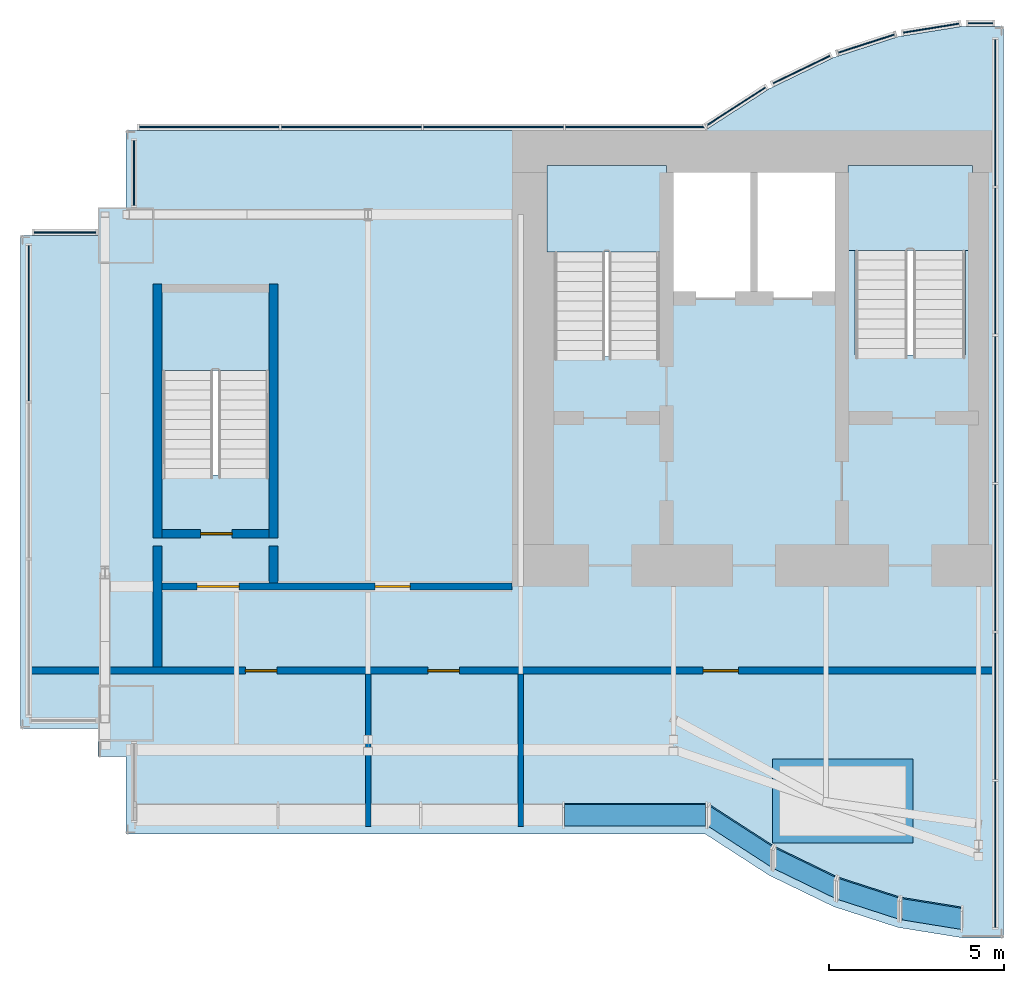
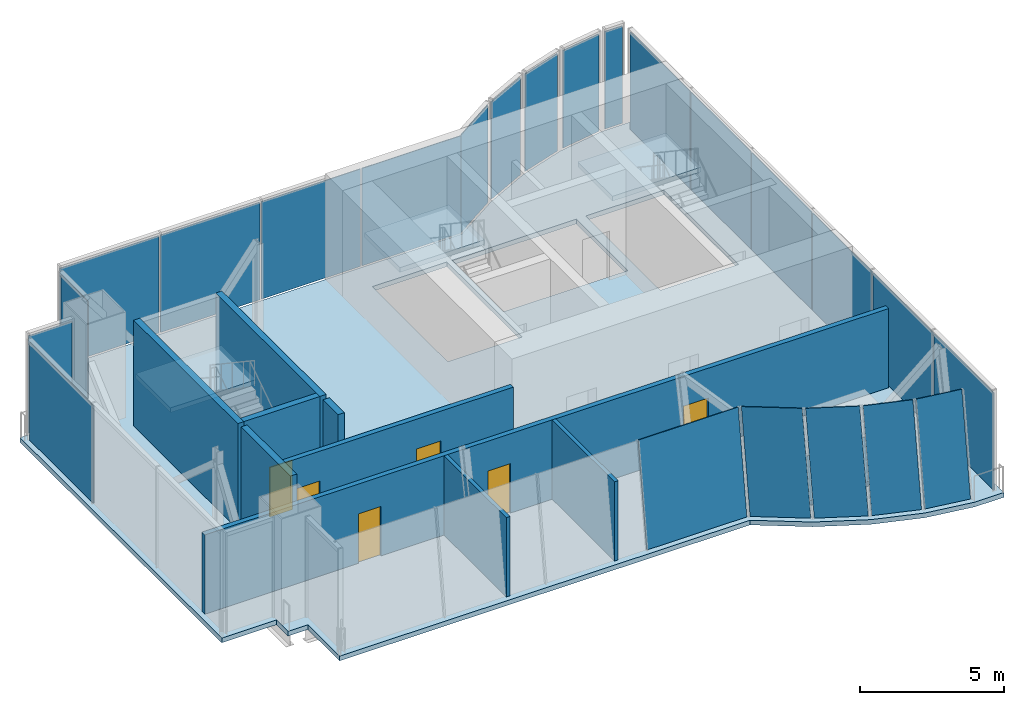
# One storey, part 3 of 6: 23 plates, 10 walls, 6 doors, 4 slabs, 6 openings, 18 elements without a shape of their own.
"""IFC4 building model written with IfcOpenShell, lengths in metres."""

from ifc_helpers import new_model, si_unit, direction, frame, frame_2d, origin, origin_2d, place, context, subcontext, project, spatial, polyline, rectangle, outline, extrude, material, layer, layer_set, type_object, element, fill, aggregate, save


model = new_model("IFC4")

# Units and contexts
model_context = context("Model", 3, precision=1e-05, world=origin(), true_north=direction((0.0, 1.0)))
body_context = subcontext(model_context, "Body", "Model", "MODEL_VIEW")
ifc_project = project(units=[si_unit("LENGTHUNIT", "METRE"), si_unit("AREAUNIT", "SQUARE_METRE"), si_unit("VOLUMEUNIT", "CUBIC_METRE"), si_unit("PLANEANGLEUNIT", "RADIAN"), si_unit("MASSUNIT", "GRAM", prefix="KILO")], contexts=[model_context])

# Site, building, storey
site_placement = place(None, origin())
site = spatial("IfcSite", under=ifc_project, at=site_placement, CompositionType="ELEMENT")
building_placement = place(site_placement, origin())
building = spatial("IfcBuilding", under=site, at=building_placement, Name="Bicima Exchange Tower", CompositionType="ELEMENT")
storey_placement = place(building_placement, frame((0.0, 0.0, 370.39990234375)))
storey = spatial("IfcBuildingStorey", under=building, at=storey_placement, Name="L83", CompositionType="ELEMENT", Elevation=370.39990234375)

# Slab
ifc_material_1 = material(Name="Concrete C40/50", Category="concrete")
ifc_layer_1 = layer(ifc_material_1, 0.199951171875)
ifc_layer_set_1 = layer_set([ifc_layer_1], Name="Concrete C40/50")
slab_type_1 = type_object("IfcSlabType", Name="Composite floor slab 200", PredefinedType="FLOOR", material=ifc_layer_set_1)
slab_1_placement = place(storey_placement, frame((0.0, 0.0, -0.199951171875)))
element("IfcSlab", 1, at=slab_1_placement, inside=storey, type_object=slab_type_1, Name="Floor slab", PredefinedType="FLOOR", context=body_context, shape_type="SweptSolid", body=[
    extrude(outline(polyline([(-33.800048828125, -17.0498046875), (-36.0, -17.0498046875), (-36.0, -3.0), (-33.800048828125, -3.0), (-33.800048828125, -2.199951171875), (-33.0, -2.199951171875), (-33.0, 0.0), (-16.5, 0.0), (-14.666748046875, 1.185302734375), (-12.833251953125, 2.07421875), (-11.0, 2.666748046875), (-9.166748046875, 2.962890625), (-8.0, 2.962890625), (-8.0, -23.0126953125), (-9.166748046875, -23.0126953125), (-11.0, -22.716552734375), (-12.833251953125, -22.123779296875), (-14.666748046875, -21.235107421875), (-16.5, -20.0498046875), (-33.0, -20.0498046875), (-33.0, -17.849853515625), (-33.800048828125, -17.849853515625), (-33.800048828125, -17.0498046875)]), holes=[polyline([(-28.925048828125, -4.625), (-31.97509765625, -4.625), (-31.97509765625, -9.824951171875), (-28.925048828125, -9.824951171875), (-28.925048828125, -4.625)]), polyline([(-17.800048828125, -1.199951171875), (-20.800048828125, -1.199951171875), (-20.800048828125, -6.449951171875), (-17.800048828125, -6.449951171875), (-17.800048828125, -1.199951171875)]), polyline([(-9.074951171875, -1.199951171875), (-12.22509765625, -1.199951171875), (-12.22509765625, -6.39990234375), (-9.074951171875, -6.39990234375), (-9.074951171875, -1.199951171875)]), polyline([(-12.60009765625, -1.199951171875), (-15.10009765625, -1.199951171875), (-17.60009765625, -1.199951171875), (-17.60009765625, -4.800048828125), (-15.10009765625, -4.800048828125), (-12.60009765625, -4.800048828125), (-12.60009765625, -1.199951171875)])]), origin(), (0.0, 0.0, 1.0), 0.199951171875),
])

# Curtain wall, plates
ifc_material_2 = material(Name="Anodised bronze aluminium", Category="aluminium")
curtain_wall_type = type_object("IfcCurtainWallType", Name="Crown glass wall", PredefinedType="NOTDEFINED", material=ifc_material_2)
curtain_wall_1_placement = place(storey_placement, origin())
curtain_wall_1 = element("IfcCurtainWall", 2, at=curtain_wall_1_placement, inside=storey, type_object=curtain_wall_type, Name="Crown glass wall L83 run 2", PredefinedType="NOTDEFINED")
ifc_material_3 = material(Name="Bronze tinted glass", Category="glass")
ifc_layer_2 = layer(ifc_material_3, 0.035888671875)
ifc_layer_set_2 = layer_set([ifc_layer_2], Name="Bronze tinted glass")
plate_type = type_object("IfcPlateType", Name="Crown glass wall glass panel 36", PredefinedType="CURTAIN_PANEL", material=ifc_layer_set_2)
plate_1_placement = place(storey_placement, frame((-8.22998046875, -20.638916015625, 0.0), z_axis=(0.0, 0.0, 1.0), x_axis=(0.0, 1.0, 0.0)))
plate_1 = element("IfcPlate", 3, at=plate_1_placement, type_object=plate_type, Name="Crown glass wall panel 1.1", PredefinedType="CURTAIN_PANEL", context=body_context, shape_type="SweptSolid", body=[
    extrude(rectangle(XDim=4.16748046875, YDim=0.035888671875, at=origin_2d()), origin(), (0.0, 0.0, 1.0), 4.139892578125),
])
plate_2_placement = place(storey_placement, frame((-8.22998046875, -16.411376953125, 0.0), z_axis=(0.0, 0.0, 1.0), x_axis=(0.0, 1.0, 0.0)))
plate_2 = element("IfcPlate", 4, at=plate_2_placement, type_object=plate_type, Name="Crown glass wall panel 2.1", PredefinedType="CURTAIN_PANEL", context=body_context, shape_type="SweptSolid", body=[
    extrude(rectangle(XDim=4.16748046875, YDim=0.035888671875, at=origin_2d()), origin(), (0.0, 0.0, 1.0), 4.139892578125),
])
plate_3_placement = place(storey_placement, frame((-8.22998046875, -12.18359375, 0.0), z_axis=(0.0, 0.0, 1.0), x_axis=(0.0, 1.0, 0.0)))
plate_3 = element("IfcPlate", 5, at=plate_3_placement, type_object=plate_type, Name="Crown glass wall panel 3.1", PredefinedType="CURTAIN_PANEL", context=body_context, shape_type="SweptSolid", body=[
    extrude(rectangle(XDim=4.16748046875, YDim=0.035888671875, at=origin_2d()), origin(), (0.0, 0.0, 1.0), 4.139892578125),
])
plate_4_placement = place(storey_placement, frame((-8.22998046875, -7.9560546875, 0.0), z_axis=(0.0, 0.0, 1.0), x_axis=(0.0, 1.0, 0.0)))
plate_4 = element("IfcPlate", 6, at=plate_4_placement, type_object=plate_type, Name="Crown glass wall panel 4.1", PredefinedType="CURTAIN_PANEL", context=body_context, shape_type="SweptSolid", body=[
    extrude(rectangle(XDim=4.16748046875, YDim=0.035888671875, at=origin_2d()), origin(), (0.0, 0.0, 1.0), 4.139892578125),
])
plate_5_placement = place(storey_placement, frame((-8.22998046875, -3.728515625, 0.0), z_axis=(0.0, 0.0, 1.0), x_axis=(0.0, 1.0, 0.0)))
plate_5 = element("IfcPlate", 7, at=plate_5_placement, type_object=plate_type, Name="Crown glass wall panel 5.1", PredefinedType="CURTAIN_PANEL", context=body_context, shape_type="SweptSolid", body=[
    extrude(rectangle(XDim=4.16748046875, YDim=0.035888671875, at=origin_2d()), origin(), (0.0, 0.0, 1.0), 4.139892578125),
])
plate_6_placement = place(storey_placement, frame((-8.22998046875, 0.499267578125, 0.0), z_axis=(0.0, 0.0, 1.0), x_axis=(0.0, 1.0, 0.0)))
plate_6 = element("IfcPlate", 8, at=plate_6_placement, type_object=plate_type, Name="Crown glass wall panel 6.1", PredefinedType="CURTAIN_PANEL", context=body_context, shape_type="SweptSolid", body=[
    extrude(rectangle(XDim=4.16748046875, YDim=0.035888671875, at=origin_2d()), origin(), (0.0, 0.0, 1.0), 4.139892578125),
])
aggregate(curtain_wall_1, [plate_1, plate_2, plate_3, plate_4, plate_5, plate_6])

# Curtain wall, plate
curtain_wall_2_placement = place(storey_placement, origin())
curtain_wall_2 = element("IfcCurtainWall", 9, at=curtain_wall_2_placement, inside=storey, type_object=curtain_wall_type, Name="Crown glass wall L83 run 3", PredefinedType="NOTDEFINED")
plate_7_placement = place(storey_placement, frame((-8.64404296875, 3.052978515625, 0.0), z_axis=(0.0, 0.0, 1.0), x_axis=(-1.0, 0.0, 0.0)))
plate_7 = element("IfcPlate", 10, at=plate_7_placement, type_object=plate_type, Name="Crown glass wall panel 1.1", PredefinedType="CURTAIN_PANEL", context=body_context, shape_type="SweptSolid", body=[
    extrude(rectangle(XDim=0.708251953125, YDim=0.035888671875, at=origin_2d()), origin(), (0.0, 0.0, 1.0), 4.139892578125),
])
aggregate(curtain_wall_2, [plate_7])

curtain_wall_3_placement = place(storey_placement, origin())
curtain_wall_3 = element("IfcCurtainWall", 11, at=curtain_wall_3_placement, inside=storey, type_object=curtain_wall_type, Name="Crown glass wall L83 run 4", PredefinedType="NOTDEFINED")
plate_8_placement = place(storey_placement, frame((-10.0537109375, 2.910888671875, 0.0), z_axis=(0.0, 0.0, 1.0), x_axis=(-0.987189786347, -0.159550386184, 0.0)))
plate_8 = element("IfcPlate", 12, at=plate_8_placement, type_object=plate_type, Name="Crown glass wall panel 1.1", PredefinedType="CURTAIN_PANEL", context=body_context, shape_type="SweptSolid", body=[
    extrude(rectangle(XDim=1.611083984375, YDim=0.035888671875, at=origin_2d()), origin(), (0.0, 0.0, 1.0), 4.139892578125),
])
aggregate(curtain_wall_3, [plate_8])

curtain_wall_4_placement = place(storey_placement, origin())
curtain_wall_4 = element("IfcCurtainWall", 13, at=curtain_wall_4_placement, inside=storey, type_object=curtain_wall_type, Name="Crown glass wall L83 run 5", PredefinedType="NOTDEFINED")
plate_9_placement = place(storey_placement, frame((-11.90234375, 2.469482421875, 0.0), z_axis=(0.0, 0.0, 1.0), x_axis=(-0.951524642381, -0.307572519808, 0.0)))
plate_9 = element("IfcPlate", 14, at=plate_9_placement, type_object=plate_type, Name="Crown glass wall panel 1.1", PredefinedType="CURTAIN_PANEL", context=body_context, shape_type="SweptSolid", body=[
    extrude(rectangle(XDim=1.68310546875, YDim=0.035888671875, at=origin_2d()), origin(), (0.0, 0.0, 1.0), 4.139892578125),
])
aggregate(curtain_wall_4, [plate_9])

curtain_wall_5_placement = place(storey_placement, origin())
curtain_wall_5 = element("IfcCurtainWall", 15, at=curtain_wall_5_placement, inside=storey, type_object=curtain_wall_type, Name="Crown glass wall L83 run 6", PredefinedType="NOTDEFINED")
plate_10_placement = place(storey_placement, frame((-13.74951171875, 1.72998046875, 0.0), z_axis=(0.0, 0.0, 1.0), x_axis=(-0.899818346812, -0.436264762204, 0.0)))
plate_10 = element("IfcPlate", 16, at=plate_10_placement, type_object=plate_type, Name="Crown glass wall panel 1.1", PredefinedType="CURTAIN_PANEL", context=body_context, shape_type="SweptSolid", body=[
    extrude(rectangle(XDim=1.79736328125, YDim=0.035888671875, at=origin_2d()), origin(), (0.0, 0.0, 1.0), 4.139892578125),
])
aggregate(curtain_wall_5, [plate_10])

curtain_wall_6_placement = place(storey_placement, origin())
curtain_wall_6 = element("IfcCurtainWall", 17, at=curtain_wall_6_placement, inside=storey, type_object=curtain_wall_type, Name="Crown glass wall L83 run 7", PredefinedType="NOTDEFINED")
plate_11_placement = place(storey_placement, frame((-15.62890625, 0.67041015625, 0.0), z_axis=(0.0, 0.0, 1.0), x_axis=(-0.839790466384, -0.542910648791, 0.0)))
plate_11 = element("IfcPlate", 18, at=plate_11_placement, type_object=plate_type, Name="Crown glass wall panel 1.1", PredefinedType="CURTAIN_PANEL", context=body_context, shape_type="SweptSolid", body=[
    extrude(rectangle(XDim=2.02685546875, YDim=0.035888671875, at=origin_2d()), origin(), (0.0, 0.0, 1.0), 4.139892578125),
])
aggregate(curtain_wall_6, [plate_11])

# Curtain wall, plates
curtain_wall_7_placement = place(storey_placement, origin())
curtain_wall_7 = element("IfcCurtainWall", 19, at=curtain_wall_7_placement, inside=storey, type_object=curtain_wall_type, Name="Crown glass wall L83 run 8", PredefinedType="NOTDEFINED")
plate_12_placement = place(storey_placement, frame((-18.485595703125, 0.090087890625, 0.0), z_axis=(0.0, 0.0, 1.0), x_axis=(-1.0, 0.0, 0.0)))
plate_12 = element("IfcPlate", 20, at=plate_12_placement, type_object=plate_type, Name="Crown glass wall panel 1.1", PredefinedType="CURTAIN_PANEL", context=body_context, shape_type="SweptSolid", body=[
    extrude(rectangle(XDim=3.987060546875, YDim=0.035888671875, at=origin_2d()), origin(), (0.0, 0.0, 1.0), 4.139892578125),
])
plate_13_placement = place(storey_placement, frame((-22.53271484375, 0.090087890625, 0.0), z_axis=(0.0, 0.0, 1.0), x_axis=(-1.0, 0.0, 0.0)))
plate_13 = element("IfcPlate", 21, at=plate_13_placement, type_object=plate_type, Name="Crown glass wall panel 2.1", PredefinedType="CURTAIN_PANEL", context=body_context, shape_type="SweptSolid", body=[
    extrude(rectangle(XDim=3.987060546875, YDim=0.035888671875, at=origin_2d()), origin(), (0.0, 0.0, 1.0), 4.139892578125),
])
plate_14_placement = place(storey_placement, frame((-26.57958984375, 0.090087890625, 0.0), z_axis=(0.0, 0.0, 1.0), x_axis=(-1.0, 0.0, 0.0)))
plate_14 = element("IfcPlate", 22, at=plate_14_placement, type_object=plate_type, Name="Crown glass wall panel 3.1", PredefinedType="CURTAIN_PANEL", context=body_context, shape_type="SweptSolid", body=[
    extrude(rectangle(XDim=3.987060546875, YDim=0.035888671875, at=origin_2d()), origin(), (0.0, 0.0, 1.0), 4.139892578125),
])
plate_15_placement = place(storey_placement, frame((-30.62646484375, 0.090087890625, 0.0), z_axis=(0.0, 0.0, 1.0), x_axis=(-1.0, 0.0, 0.0)))
plate_15 = element("IfcPlate", 23, at=plate_15_placement, type_object=plate_type, Name="Crown glass wall panel 4.1", PredefinedType="CURTAIN_PANEL", context=body_context, shape_type="SweptSolid", body=[
    extrude(rectangle(XDim=3.987060546875, YDim=0.035888671875, at=origin_2d()), origin(), (0.0, 0.0, 1.0), 4.139892578125),
])
aggregate(curtain_wall_7, [plate_12, plate_13, plate_14, plate_15])

# Curtain wall, plate
curtain_wall_8_placement = place(storey_placement, origin())
curtain_wall_8 = element("IfcCurtainWall", 24, at=curtain_wall_8_placement, inside=storey, type_object=curtain_wall_type, Name="Crown glass wall L83 run 9", PredefinedType="NOTDEFINED")
plate_16_placement = place(storey_placement, frame((-32.77001953125, -1.215087890625, 0.0), z_axis=(0.0, 0.0, 1.0), x_axis=(0.0, -1.0, 0.0)))
plate_16 = element("IfcPlate", 25, at=plate_16_placement, type_object=plate_type, Name="Crown glass wall panel 1.1", PredefinedType="CURTAIN_PANEL", context=body_context, shape_type="SweptSolid", body=[
    extrude(rectangle(XDim=1.85009765625, YDim=0.035888671875, at=origin_2d()), origin(), (0.0, 0.0, 1.0), 4.139892578125),
])
aggregate(curtain_wall_8, [plate_16])

curtain_wall_9_placement = place(storey_placement, origin())
curtain_wall_9 = element("IfcCurtainWall", 26, at=curtain_wall_9_placement, inside=storey, type_object=curtain_wall_type, Name="Crown glass wall L83 run 10", PredefinedType="NOTDEFINED")
plate_17_placement = place(storey_placement, frame((-34.739990234375, -2.909912109375, 0.0), z_axis=(0.0, 0.0, 1.0), x_axis=(-1.0, 0.0, 0.0)))
plate_17 = element("IfcPlate", 27, at=plate_17_placement, type_object=plate_type, Name="Crown glass wall panel 1.1", PredefinedType="CURTAIN_PANEL", context=body_context, shape_type="SweptSolid", body=[
    extrude(rectangle(XDim=1.760009765625, YDim=0.035888671875, at=origin_2d()), origin(), (0.0, 0.0, 1.0), 4.139892578125),
])
aggregate(curtain_wall_9, [plate_17])

curtain_wall_10_placement = place(storey_placement, origin())
curtain_wall_10 = element("IfcCurtainWall", 28, at=curtain_wall_10_placement, inside=storey, type_object=curtain_wall_type, Name="Crown glass wall L83 run 11", PredefinedType="NOTDEFINED")
plate_18_placement = place(storey_placement, frame((-35.77001953125, -5.5, 0.0), z_axis=(0.0, 0.0, 1.0), x_axis=(0.0, -1.0, 0.0)))
plate_18 = element("IfcPlate", 29, at=plate_18_placement, type_object=plate_type, Name="Crown glass wall panel 1.1", PredefinedType="CURTAIN_PANEL", context=body_context, shape_type="SweptSolid", body=[
    extrude(rectangle(XDim=4.419921875, YDim=0.035888671875, at=origin_2d()), origin(), (0.0, 0.0, 1.0), 4.139892578125),
])
aggregate(curtain_wall_10, [plate_18])

curtain_wall_11_placement = place(storey_placement, origin())
curtain_wall_11 = element("IfcCurtainWall", 30, at=curtain_wall_11_placement, inside=storey, type_object=curtain_wall_type, Name="Crown tilted glass L83 14.1", PredefinedType="NOTDEFINED")
plate_19_placement = place(storey_placement, frame((-20.501708984375, -19.81982421875, 0.0), z_axis=(0.0, -0.99027074745, 0.139154039626), x_axis=(1.0, 0.0, 0.0)))
plate_19 = element("IfcPlate", 31, at=plate_19_placement, type_object=plate_type, Name="Crown tilted glass panel 4", PredefinedType="CURTAIN_PANEL", context=body_context, shape_type="SweptSolid", body=[
    extrude(outline(polyline([(0.0, 0.0), (4.009521484375, 0.0), (4.009521484375, 4.342296123758884), (0.0, 4.342296123758884), (0.0, 0.0)])), origin(), (0.0, 0.0, -1.0), 0.035888671875),
])
aggregate(curtain_wall_11, [plate_19])

curtain_wall_12_placement = place(storey_placement, origin())
curtain_wall_12 = element("IfcCurtainWall", 32, at=curtain_wall_12_placement, inside=storey, type_object=curtain_wall_type, Name="Crown tilted glass L83 15.1", PredefinedType="NOTDEFINED")
plate_20_placement = place(storey_placement, frame((-16.381591796875, -19.852294921875, 0.0), z_axis=(-0.539204779654, -0.833977695307, 0.117215226522), x_axis=(0.839766235342, -0.54294812823, -5.637187e-06)))
plate_20 = element("IfcPlate", 33, at=plate_20_placement, type_object=plate_type, Name="Crown tilted glass panel 1", PredefinedType="CURTAIN_PANEL", context=body_context, shape_type="SweptSolid", body=[
    extrude(outline(polyline([(0.0, 0.0), (2.116830504694543, 0.0), (1.7885983627828739, 4.3299069712477385), (-0.3280995862163004, 4.329882940400594), (0.0, 0.0)])), origin(), (0.0, 0.0, -1.0), 0.035888671875),
])
aggregate(curtain_wall_12, [plate_20])

curtain_wall_13_placement = place(storey_placement, origin())
curtain_wall_13 = element("IfcCurtainWall", 34, at=curtain_wall_13_placement, inside=storey, type_object=curtain_wall_type, Name="Crown tilted glass L83 16.1", PredefinedType="NOTDEFINED")
plate_21_placement = place(storey_placement, frame((-14.499755859375, -21.060302734375, 0.0), z_axis=(-0.432817763819, -0.892710697566, 0.125444783766), x_axis=(0.899818722999, -0.436263986298, 0.0)))
plate_21 = element("IfcPlate", 35, at=plate_21_placement, type_object=plate_type, Name="Crown tilted glass panel 1", PredefinedType="CURTAIN_PANEL", context=body_context, shape_type="SweptSolid", body=[
    extrude(outline(polyline([(0.0, 0.0), (1.8875872269742504, 0.0), (1.623975565331774, 4.334287083045785), (-0.26361166164247657, 4.334287083045785), (0.0, 0.0)])), origin(), (0.0, 0.0, -1.0), 0.035888671875),
])
aggregate(curtain_wall_13, [plate_21])

curtain_wall_14_placement = place(storey_placement, origin())
curtain_wall_14 = element("IfcCurtainWall", 36, at=curtain_wall_14_placement, inside=storey, type_object=curtain_wall_type, Name="Crown tilted glass L83 17.1", PredefinedType="NOTDEFINED")
plate_22_placement = place(storey_placement, frame((-12.690185546875, -21.928466796875, 0.0), z_axis=(-0.304845873957, -0.943131850924, 0.132556798783), x_axis=(0.95152834668, -0.307561059614, -8.60754e-06)))
plate_22 = element("IfcPlate", 37, at=plate_22_placement, type_object=plate_type, Name="Crown tilted glass panel 1", PredefinedType="CURTAIN_PANEL", context=body_context, shape_type="SweptSolid", body=[
    extrude(outline(polyline([(0.0, 0.0), (1.772986397151972, -1.3877787807814457e-17), (1.587031126591895, 4.338346615140853), (-0.18588018241075707, 4.338315821945635), (0.0, 0.0)])), origin(), (0.0, 0.0, -1.0), 0.035888671875),
])
aggregate(curtain_wall_14, [plate_22])

curtain_wall_15_placement = place(storey_placement, origin())
curtain_wall_15 = element("IfcCurtainWall", 38, at=curtain_wall_15_placement, inside=storey, type_object=curtain_wall_type, Name="Crown tilted glass L83 18.1", PredefinedType="NOTDEFINED")
plate_23_placement = place(storey_placement, frame((-10.88671875, -22.501708984375, 0.0), z_axis=(-0.158088635796, -0.977818018892, 0.137404167192), x_axis=(0.987181369594, -0.159602454636, 0.0)))
plate_23 = element("IfcPlate", 39, at=plate_23_placement, type_object=plate_type, Name="Crown tilted glass panel 1", PredefinedType="CURTAIN_PANEL", context=body_context, shape_type="SweptSolid", body=[
    extrude(outline(polyline([(0.0, 0.0), (1.7010037572326968, -6.938893903907228e-18), (1.6045642857422238, 4.34122506382128), (-0.09643947149047298, 4.34122506382128), (0.0, 0.0)])), origin(), (0.0, 0.0, -1.0), 0.035888671875),
])
aggregate(curtain_wall_15, [plate_23])

# Stair, slab
ifc_material_4 = material(Name="Concrete C50/60", Category="concrete")
stair_type_1 = type_object("IfcStairType", Name="Exit stair", PredefinedType="HALF_TURN_STAIR", material=ifc_material_4)
stair_1_placement = place(storey_placement, origin())
stair_1 = element("IfcStair", 40, at=stair_1_placement, inside=storey, type_object=stair_type_1, Name="L83 West exit stair", PredefinedType="HALF_TURN_STAIR")
ifc_layer_3 = layer(ifc_material_4, 0.199951171875)
ifc_layer_set_3 = layer_set([ifc_layer_3], Name="Concrete C50/60")
slab_type_2 = type_object("IfcSlabType", Name="Stair landing slab", PredefinedType="LANDING", material=ifc_layer_set_3)
slab_2_placement = place(storey_placement, frame((0.0, 0.0, 2.050048828125)))
slab_2 = element("IfcSlab", 41, at=slab_2_placement, type_object=slab_type_2, Name="ST-W landing 1", PredefinedType="LANDING", context=body_context, shape_type="SweptSolid", body=[
    extrude(outline(polyline([(-17.60009765625, -3.469970703125), (-17.60009765625, -1.0), (-21.0, -1.0), (-21.0, -3.469970703125), (-17.60009765625, -3.469970703125)])), origin(), (0.0, 0.0, 1.0), 0.199951171875),
])
aggregate(stair_1, [slab_2])

stair_type_2 = type_object("IfcStairType", Name="Exit stair 1500", PredefinedType="HALF_TURN_STAIR", material=ifc_material_4)
stair_2_placement = place(storey_placement, origin())
stair_2 = element("IfcStair", 42, at=stair_2_placement, inside=storey, type_object=stair_type_2, Name="L83 Crown exit stair", PredefinedType="HALF_TURN_STAIR")
slab_3_placement = place(storey_placement, frame((0.0, 0.0, 2.050048828125)))
slab_3 = element("IfcSlab", 43, at=slab_3_placement, type_object=slab_type_2, Name="ST-CR landing 1", PredefinedType="LANDING", context=body_context, shape_type="SweptSolid", body=[
    extrude(outline(polyline([(-8.875, -3.419921875), (-8.875, -1.0), (-12.425048828125, -1.0), (-12.425048828125, -3.419921875), (-8.875, -3.419921875)])), origin(), (0.0, 0.0, 1.0), 0.199951171875),
])
aggregate(stair_2, [slab_3])

stair_3_placement = place(storey_placement, origin())
stair_3 = element("IfcStair", 44, at=stair_3_placement, inside=storey, type_object=stair_type_1, Name="L83 West end exit stair", PredefinedType="HALF_TURN_STAIR")
slab_4_placement = place(storey_placement, frame((0.0, 0.0, 2.050048828125)))
slab_4 = element("IfcSlab", 45, at=slab_4_placement, type_object=slab_type_2, Name="ST-WW landing 1", PredefinedType="LANDING", context=body_context, shape_type="SweptSolid", body=[
    extrude(outline(polyline([(-28.72509765625, -6.844970703125), (-28.72509765625, -4.425048828125), (-32.175048828125, -4.425048828125), (-32.175048828125, -6.844970703125), (-28.72509765625, -6.844970703125)])), origin(), (0.0, 0.0, 1.0), 0.199951171875),
])
aggregate(stair_3, [slab_4])

# Wall, openings, doors
ifc_material_5 = material(Name="Gypsum board partition")
ifc_layer_4 = layer(ifc_material_5, 0.199951171875)
ifc_layer_set_4 = layer_set([ifc_layer_4], Name="Gypsum board partition")
wall_type_1 = type_object("IfcWallType", Name="Fire-rated gypsum partition 200 EI60", PredefinedType="PARTITIONING", material=ifc_layer_set_4)
wall_1_placement = place(storey_placement, frame((-35.7900390625, -15.39990234375, 0.0), z_axis=(0.0, 0.0, 1.0), x_axis=(1.0, 0.0, 0.0)))
wall_1 = element("IfcWall", 46, at=wall_1_placement, inside=storey, type_object=wall_type_1, Name="partition wall 1", PredefinedType="PARTITIONING", context=body_context, shape_type="SweptSolid", body=[
    extrude(rectangle(XDim=27.489990234375, YDim=0.199951171875, at=frame_2d((13.7451171875, 0.0))), origin(), (0.0, 0.0, 1.0), 3.368408203125),
])
opening_1_placement = place(wall_1_placement, frame((6.18994140625, 0.0, 0.0)))
opening_1 = element("IfcOpeningElement", 47, at=opening_1_placement, cuts=wall_1, Name="Opening L83-004", PredefinedType="OPENING", context=body_context, shape_type="SweptSolid", body=[
    extrude(rectangle(XDim=0.89990234375, YDim=2.10009765625, at=frame_2d((0.449951171875, 1.050048828125))), frame((0.0, 0.11181640625, 0.0), z_axis=(0.0, -1.0, 0.0), x_axis=(1.0, 0.0, 0.0)), (0.0, 0.0, 1.0), 0.223876953125),
])
opening_2_placement = place(wall_1_placement, frame((11.389892578125, 0.0, 0.0)))
opening_2 = element("IfcOpeningElement", 48, at=opening_2_placement, cuts=wall_1, Name="Opening L83-005", PredefinedType="OPENING", context=body_context, shape_type="SweptSolid", body=[
    extrude(rectangle(XDim=0.89990234375, YDim=2.10009765625, at=frame_2d((0.449951171875, 1.050048828125))), frame((0.0, 0.11181640625, 0.0), z_axis=(0.0, -1.0, 0.0), x_axis=(1.0, 0.0, 0.0)), (0.0, 0.0, 1.0), 0.223876953125),
])
opening_3_placement = place(wall_1_placement, frame((19.239990234375, 0.0, 0.0)))
opening_3 = element("IfcOpeningElement", 49, at=opening_3_placement, cuts=wall_1, Name="Opening L83-006", PredefinedType="OPENING", context=body_context, shape_type="SweptSolid", body=[
    extrude(rectangle(XDim=1.0, YDim=2.10009765625, at=frame_2d((0.5, 1.050048828125))), frame((0.0, 0.11181640625, 0.0), z_axis=(0.0, -1.0, 0.0), x_axis=(1.0, 0.0, 0.0)), (0.0, 0.0, 1.0), 0.223876953125),
])
ifc_material_6 = material(Name="Steel fire door leaf", Category="steel")
door_type_1 = type_object("IfcDoorType", Name="Door 1000 swing FD30S", OperationType="SINGLE_SWING_LEFT", PredefinedType="DOOR", material=ifc_material_6)
door_1_placement = place(opening_3_placement, frame((1.0, 0.0, 0.0), z_axis=(0.0, 0.0, 1.0), x_axis=(-1.0, 0.0, 0.0)))
door_1 = element("IfcDoor", 50, at=door_1_placement, inside=storey, type_object=door_type_1, Name="Door", OperationType="SINGLE_SWING_RIGHT", OverallHeight=2.10009765625, OverallWidth=1.0, PredefinedType="DOOR", context=body_context, shape_type="SweptSolid", body=[
    extrude(rectangle(XDim=1.0, YDim=2.10009765625, at=frame_2d((0.5, 1.050048828125))), frame((0.0, 0.02490234375, 0.0), z_axis=(0.0, -1.0, 0.0), x_axis=(1.0, 0.0, 0.0)), (0.0, 0.0, 1.0), 0.050048828125),
])
fill(opening_3, door_1)
door_type_2 = type_object("IfcDoorType", Name="Door 900 swing FD30S", OperationType="SINGLE_SWING_LEFT", PredefinedType="DOOR", material=ifc_material_6)
door_2_placement = place(opening_1_placement, frame((0.89990234375, 0.0, 0.0), z_axis=(0.0, 0.0, 1.0), x_axis=(-1.0, 0.0, 0.0)))
door_2 = element("IfcDoor", 51, at=door_2_placement, inside=storey, type_object=door_type_2, Name="Door", OperationType="SINGLE_SWING_LEFT", OverallHeight=2.10009765625, OverallWidth=0.89990234375, PredefinedType="DOOR", context=body_context, shape_type="SweptSolid", body=[
    extrude(rectangle(XDim=0.89990234375, YDim=2.10009765625, at=frame_2d((0.449951171875, 1.050048828125))), frame((0.0, 0.02490234375, 0.0), z_axis=(0.0, -1.0, 0.0), x_axis=(1.0, 0.0, 0.0)), (0.0, 0.0, 1.0), 0.050048828125),
])
fill(opening_1, door_2)
door_3_placement = place(opening_2_placement, frame((0.89990234375, 0.0, 0.0), z_axis=(0.0, 0.0, 1.0), x_axis=(-1.0, 0.0, 0.0)))
door_3 = element("IfcDoor", 52, at=door_3_placement, inside=storey, type_object=door_type_2, Name="Door", OperationType="SINGLE_SWING_RIGHT", OverallHeight=2.10009765625, OverallWidth=0.89990234375, PredefinedType="DOOR", context=body_context, shape_type="SweptSolid", body=[
    extrude(rectangle(XDim=0.89990234375, YDim=2.10009765625, at=frame_2d((0.449951171875, 1.050048828125))), frame((0.0, 0.02490234375, 0.0), z_axis=(0.0, -1.0, 0.0), x_axis=(1.0, 0.0, 0.0)), (0.0, 0.0, 1.0), 0.050048828125),
])
fill(opening_2, door_3)

wall_2_placement = place(storey_placement, frame((-31.97509765625, -13.0, 0.0), z_axis=(0.0, 0.0, 1.0), x_axis=(1.0, 0.0, 0.0)))
wall_2 = element("IfcWall", 53, at=wall_2_placement, inside=storey, type_object=wall_type_1, Name="partition wall 2", PredefinedType="PARTITIONING", context=body_context, shape_type="SweptSolid", body=[
    extrude(rectangle(XDim=9.97509765625, YDim=0.199951171875, at=frame_2d((4.987548828125, 0.0))), origin(), (0.0, 0.0, 1.0), 3.368408203125),
])
opening_4_placement = place(wall_2_placement, frame((1.0, 0.0, 0.0)))
opening_4 = element("IfcOpeningElement", 54, at=opening_4_placement, cuts=wall_2, Name="Opening L83-001", PredefinedType="OPENING", context=body_context, shape_type="SweptSolid", body=[
    extrude(rectangle(XDim=1.199951171875, YDim=2.10009765625, at=frame_2d((0.60009765625, 1.050048828125))), frame((0.0, 0.11181640625, 0.0), z_axis=(0.0, -1.0, 0.0), x_axis=(1.0, 0.0, 0.0)), (0.0, 0.0, 1.0), 0.223876953125),
])
opening_5_placement = place(wall_2_placement, frame((6.074951171875, 0.0, 0.0)))
opening_5 = element("IfcOpeningElement", 55, at=opening_5_placement, cuts=wall_2, Name="Opening L83-003", PredefinedType="OPENING", context=body_context, shape_type="SweptSolid", body=[
    extrude(rectangle(XDim=1.0, YDim=2.10009765625, at=frame_2d((0.5, 1.050048828125))), frame((0.0, 0.11181640625, 0.0), z_axis=(0.0, -1.0, 0.0), x_axis=(1.0, 0.0, 0.0)), (0.0, 0.0, 1.0), 0.223876953125),
])
door_4_placement = place(opening_5_placement, origin())
door_4 = element("IfcDoor", 56, at=door_4_placement, inside=storey, type_object=door_type_1, Name="Door", OperationType="SINGLE_SWING_RIGHT", OverallHeight=2.10009765625, OverallWidth=1.0, PredefinedType="DOOR", context=body_context, shape_type="SweptSolid", body=[
    extrude(rectangle(XDim=1.0, YDim=2.10009765625, at=frame_2d((0.5, 1.050048828125))), frame((0.0, 0.02490234375, 0.0), z_axis=(0.0, -1.0, 0.0), x_axis=(1.0, 0.0, 0.0)), (0.0, 0.0, 1.0), 0.050048828125),
])
fill(opening_5, door_4)
door_type_3 = type_object("IfcDoorType", Name="Door 1200 swing FD30S", OperationType="SINGLE_SWING_LEFT", PredefinedType="DOOR", material=ifc_material_6)
door_5_placement = place(opening_4_placement, origin())
door_5 = element("IfcDoor", 57, at=door_5_placement, inside=storey, type_object=door_type_3, Name="Door", OperationType="SINGLE_SWING_LEFT", OverallHeight=2.10009765625, OverallWidth=1.199951171875, PredefinedType="DOOR", context=body_context, shape_type="SweptSolid", body=[
    extrude(rectangle(XDim=1.199951171875, YDim=2.10009765625, at=frame_2d((0.60009765625, 1.050048828125))), frame((0.0, 0.02490234375, 0.0), z_axis=(0.0, -1.0, 0.0), x_axis=(1.0, 0.0, 0.0)), (0.0, 0.0, 1.0), 0.050048828125),
])
fill(opening_4, door_5)

# Walls
ifc_layer_5 = layer(ifc_material_5, 0.14990234375)
ifc_layer_set_5 = layer_set([ifc_layer_5], Name="Gypsum board partition")
wall_type_2 = type_object("IfcWallType", Name="Gypsum partition 150", PredefinedType="PARTITIONING", material=ifc_layer_set_5)
for number, where, z_axis, x_axis, name in (
    (58, (-26.10009765625, -19.840087890625, 0.0), (0.0, 0.0, 1.0), (0.0, 1.0, 0.0), "partition wall 7"),
    (59, (-21.75, -19.840087890625, 0.0), (0.0, 0.0, 1.0), (0.0, 1.0, 0.0), "partition wall 8"),
):
    element("IfcWall", number, at=place(storey_placement, frame(where, z_axis=z_axis, x_axis=x_axis)), inside=storey, type_object=wall_type_2, Name=name, PredefinedType="PARTITIONING", context=body_context, shape_type="SweptSolid", body=[
        extrude(rectangle(XDim=4.340087890625, YDim=0.14990234375, at=frame_2d((2.169921875, 0.0))), origin(), (0.0, 0.0, 1.0), 3.368408203125),
    ])
ifc_layer_6 = layer(ifc_material_1, 0.2)
ifc_layer_set_6 = layer_set([ifc_layer_6], Name="Concrete C40/50")
wall_type_3 = type_object("IfcWallType", Name="Plant plinth 200", PredefinedType="USERDEFINED", material=ifc_layer_set_6)
wall_3_placement = place(storey_placement, frame((-12.570068359375, -19.11328125, 0.0), z_axis=(0.0, 0.0, 1.0), x_axis=(1.0, 0.0, 0.0)))
element("IfcWall", 60, at=wall_3_placement, inside=storey, type_object=wall_type_3, Name="Plant plinth Water treatment skid", ObjectType="PLINTH", PredefinedType="USERDEFINED", context=body_context, shape_type="SweptSolid", body=[
    extrude(rectangle(XDim=4.0, YDim=2.39990234375, at=origin_2d()), origin(), (0.0, 0.0, 1.0), 0.199951171875),
])
ifc_layer_7 = layer(ifc_material_4, 0.25)
ifc_layer_set_7 = layer_set([ifc_layer_7], Name="Concrete C50/60")
wall_type_4 = type_object("IfcWallType", Name="RC core wall 250 C50/60", PredefinedType="SHEAR", material=ifc_layer_set_7)
wall_4_placement = place(storey_placement, frame((-32.10009765625, -15.300048828125, 0.0), z_axis=(0.0, 0.0, 1.0), x_axis=(0.0, 1.0, 0.0)))
element("IfcWall", 61, at=wall_4_placement, inside=storey, type_object=wall_type_4, Name="stair wall 5", PredefinedType="SHEAR", context=body_context, shape_type="SweptSolid", body=[
    extrude(rectangle(XDim=3.449951171875, YDim=0.25, at=frame_2d((1.72509765625, 0.0))), origin(), (0.0, 0.0, 1.0), 4.5),
])
wall_5_placement = place(storey_placement, frame((-28.800048828125, -12.89990234375, 0.0), z_axis=(0.0, 0.0, 1.0), x_axis=(0.0, 1.0, 0.0)))
element("IfcWall", 62, at=wall_5_placement, inside=storey, type_object=wall_type_4, Name="stair wall 6", PredefinedType="SHEAR", context=body_context, shape_type="SweptSolid", body=[
    extrude(rectangle(XDim=1.0498046875, YDim=0.25, at=frame_2d((0.52490234375, 0.0))), origin(), (0.0, 0.0, 1.0), 4.5),
])
ifc_layer_8 = layer(ifc_material_4, 0.25)
ifc_layer_set_8 = layer_set([ifc_layer_8], Name="Concrete C50/60")
wall_type_5 = type_object("IfcWallType", Name="RC stair enclosure wall 250 C50/60", PredefinedType="SHEAR", material=ifc_layer_set_8)
for number, where, z_axis, x_axis, name in (
    (63, (-32.10009765625, -11.625, 0.0), (0.0, 0.0, 1.0), (0.0, 1.0, 0.0), "West end exit stair wall W"),
    (64, (-28.800048828125, -11.625, 0.0), (0.0, 0.0, 1.0), (0.0, 1.0, 0.0), "West end exit stair wall E"),
):
    element("IfcWall", number, at=place(storey_placement, frame(where, z_axis=z_axis, x_axis=x_axis)), inside=storey, type_object=wall_type_5, Name=name, PredefinedType="SHEAR", context=body_context, shape_type="SweptSolid", body=[
        extrude(rectangle(XDim=7.25, YDim=0.25, at=frame_2d((3.625, 0.0))), origin(), (0.0, 0.0, 1.0), 4.5),
    ])

# Wall, opening, door
wall_6_placement = place(storey_placement, frame((-31.97509765625, -11.5, 0.0), z_axis=(0.0, 0.0, 1.0), x_axis=(1.0, 0.0, 0.0)))
wall_6 = element("IfcWall", 65, at=wall_6_placement, inside=storey, type_object=wall_type_5, Name="West end exit stair wall S", PredefinedType="SHEAR", context=body_context, shape_type="SweptSolid", body=[
    extrude(rectangle(XDim=3.050048828125, YDim=0.25, at=frame_2d((1.52490234375, 0.0))), origin(), (0.0, 0.0, 1.0), 4.5),
])
opening_6_placement = place(wall_6_placement, frame((1.10009765625, 0.0, 0.0)))
opening_6 = element("IfcOpeningElement", 66, at=opening_6_placement, cuts=wall_6, Name="Opening L83-002", PredefinedType="OPENING", context=body_context, shape_type="SweptSolid", body=[
    extrude(rectangle(XDim=0.89990234375, YDim=2.10009765625, at=frame_2d((0.449951171875, 1.050048828125))), frame((0.0, 0.136962890625, 0.0), z_axis=(0.0, -1.0, 0.0), x_axis=(1.0, 0.0, 0.0)), (0.0, 0.0, 1.0), 0.27392578125),
])
door_type_4 = type_object("IfcDoorType", Name="Door 900 swing FD60S", OperationType="SINGLE_SWING_LEFT", PredefinedType="DOOR", material=ifc_material_6)
door_6_placement = place(opening_6_placement, origin())
door_6 = element("IfcDoor", 67, at=door_6_placement, inside=storey, type_object=door_type_4, Name="Door", OperationType="SINGLE_SWING_LEFT", OverallHeight=2.10009765625, OverallWidth=0.89990234375, PredefinedType="DOOR", context=body_context, shape_type="SweptSolid", body=[
    extrude(rectangle(XDim=0.89990234375, YDim=2.10009765625, at=frame_2d((0.449951171875, 1.050048828125))), frame((0.0, 0.02490234375, 0.0), z_axis=(0.0, -1.0, 0.0), x_axis=(1.0, 0.0, 0.0)), (0.0, 0.0, 1.0), 0.050048828125),
])
fill(opening_6, door_6)

save(model, "model.ifc")
